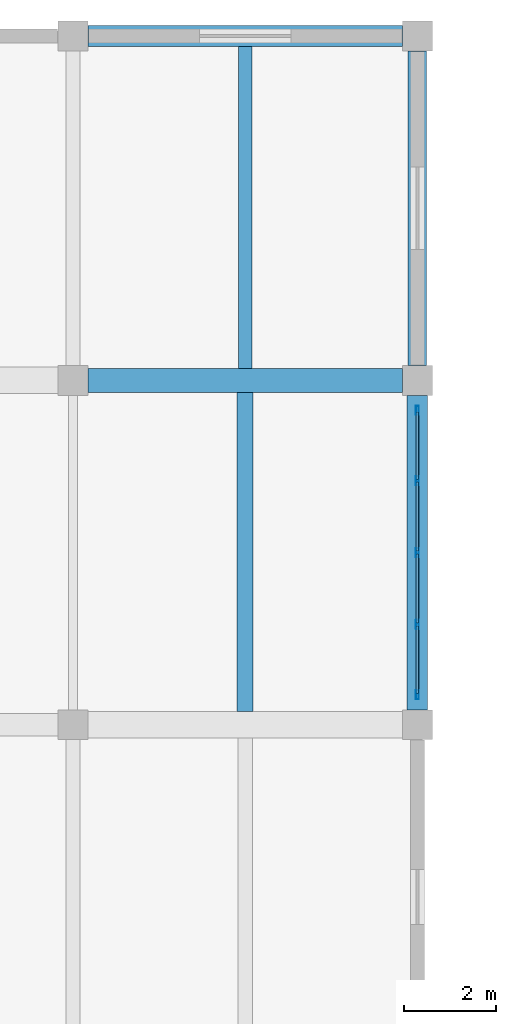
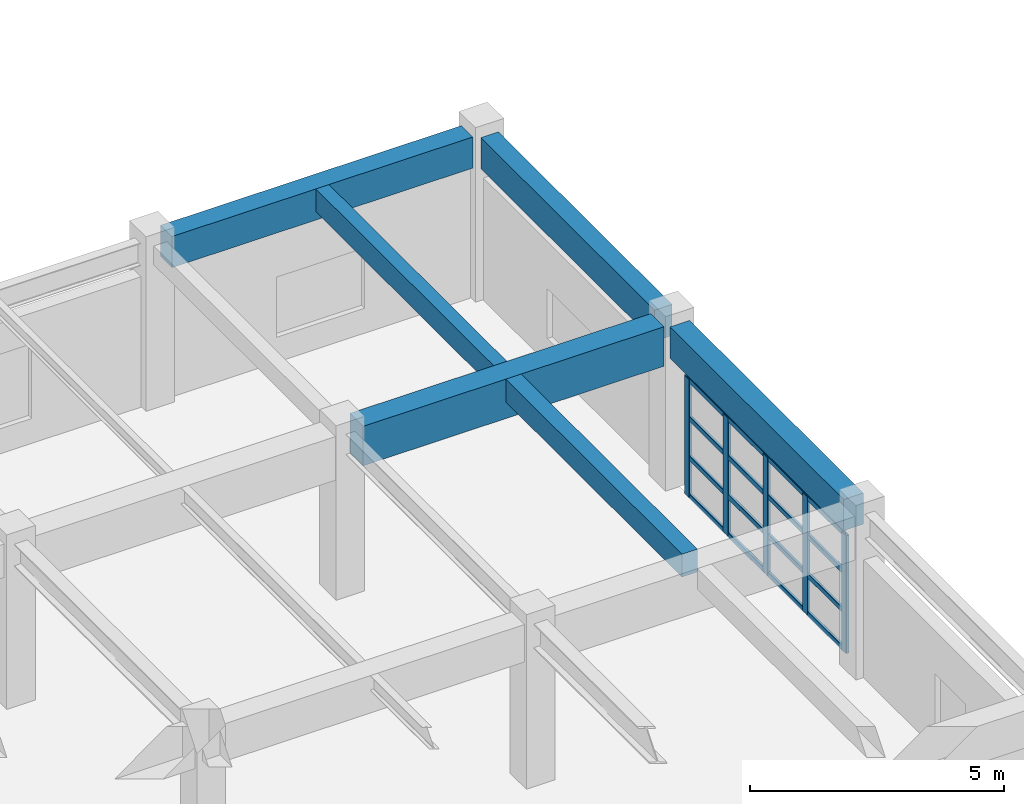
# One storey, part 54 of 132: 21 members, 6 beams, 1 element without a shape of its own.
"""IFC4 building model written with IfcOpenShell, lengths in metres."""

from ifc_helpers import new_model, si_unit, direction, frame, origin, origin_2d, place, context, subcontext, project, spatial, rectangle, hollow_rectangle, extrude, material, material_profile, profile_set, type_object, element, aggregate, save


model = new_model("IFC4")

# Units and contexts
model_context = context("Model", 3, precision=1e-05, world=origin(), true_north=direction((0.0, 1.0)))
body_context = subcontext(model_context, "Body", "Model", "MODEL_VIEW")
ifc_project = project(units=[si_unit("LENGTHUNIT", "METRE"), si_unit("AREAUNIT", "SQUARE_METRE"), si_unit("VOLUMEUNIT", "CUBIC_METRE"), si_unit("PLANEANGLEUNIT", "RADIAN"), si_unit("MASSUNIT", "GRAM", prefix="KILO")], contexts=[model_context])

# Site, building, storey
site_placement = place(None, origin())
site = spatial("IfcSite", under=ifc_project, at=site_placement, CompositionType="ELEMENT")
building_placement = place(site_placement, origin())
building = spatial("IfcBuilding", under=site, at=building_placement, Name="Qasida Concert Hall", CompositionType="ELEMENT")
storey_placement = place(building_placement, frame((0.0, 0.0, 4.800048828125)))
storey = spatial("IfcBuildingStorey", under=building, at=storey_placement, Name="L01", CompositionType="ELEMENT", Elevation=4.800048828125)

# Beams
ifc_material_1 = material(Name="Concrete C40/50", Category="concrete")
ifc_material_profile_1 = material_profile(ifc_material_1, rectangle(XDim=0.52001953125, YDim=0.949951171875, at=origin_2d()), Name="RC 520x950")
ifc_profile_set_1 = profile_set([ifc_material_profile_1], Name="Concrete C40/50")
beam_type_1 = type_object("IfcBeamType", Name="BM-G7", PredefinedType="USERDEFINED", material=ifc_profile_set_1)
beam_1_placement = place(storey_placement, frame((30.324951171875, 105.0, 3.445068359375), z_axis=(1.0, 0.0, 0.0), x_axis=(0.0, 1.0, 0.0)))
element("IfcBeam", 1, at=beam_1_placement, inside=storey, type_object=beam_type_1, Name="Primary girder 1084", ObjectType="GIRDER", PredefinedType="USERDEFINED", context=body_context, shape_type="SweptSolid", body=[
    extrude(rectangle(XDim=0.52001953125, YDim=0.949951171875, at=origin_2d()), origin(), (0.0, 0.0, 1.0), 6.85009765625),
])
ifc_material_profile_2 = material_profile(ifc_material_1, rectangle(XDim=0.300048828125, YDim=0.550048828125, at=origin_2d()), Name="RC 300x550")
ifc_profile_set_2 = profile_set([ifc_material_profile_2], Name="Concrete C40/50")
beam_type_2 = type_object("IfcBeamType", Name="BM-J1", PredefinedType="JOIST", material=ifc_profile_set_2)
beam_2_placement = place(storey_placement, frame((33.75, 105.260009765625, 3.64501953125), z_axis=(0.0, 1.0, 0.0), x_axis=(-1.0, 0.0, 0.0)))
element("IfcBeam", 2, at=beam_2_placement, inside=storey, type_object=beam_type_2, Name="L01 secondary joist 1136", PredefinedType="JOIST", context=body_context, shape_type="SweptSolid", body=[
    extrude(rectangle(XDim=0.300048828125, YDim=0.550048828125, at=origin_2d()), origin(), (0.0, 0.0, 1.0), 7.014892578125),
])
ifc_material_profile_3 = material_profile(ifc_material_1, rectangle(XDim=0.35009765625, YDim=0.550048828125, at=origin_2d()), Name="RC 350x550")
ifc_profile_set_3 = profile_set([ifc_material_profile_3], Name="Concrete C40/50")
beam_type_3 = type_object("IfcBeamType", Name="BM-J8", PredefinedType="JOIST", material=ifc_profile_set_3)
beam_3_placement = place(storey_placement, frame((33.75, 97.7900390625, 3.64501953125), z_axis=(0.0, 1.0, 0.0), x_axis=(-1.0, 0.0, 0.0)))
element("IfcBeam", 3, at=beam_3_placement, inside=storey, type_object=beam_type_3, Name="L01 secondary joist 1135", PredefinedType="JOIST", context=body_context, shape_type="SweptSolid", body=[
    extrude(rectangle(XDim=0.35009765625, YDim=0.550048828125, at=origin_2d()), origin(), (0.0, 0.0, 1.0), 6.949951171875),
])
ifc_material_profile_4 = material_profile(ifc_material_1, rectangle(XDim=0.39990234375, YDim=0.75, at=origin_2d()), Name="RC 400x750")
ifc_profile_set_4 = profile_set([ifc_material_profile_4], Name="Concrete C40/50")
beam_type_4 = type_object("IfcBeamType", Name="BM-SP1", PredefinedType="SPANDREL", material=ifc_profile_set_4)
beam_4_placement = place(storey_placement, frame((37.5, 105.324951171875, 3.544921875), z_axis=(0.0, 1.0, 0.0), x_axis=(-1.0, 0.0, 0.0)))
element("IfcBeam", 4, at=beam_4_placement, inside=storey, type_object=beam_type_4, Name="L01 girder 1113", PredefinedType="SPANDREL", context=body_context, shape_type="SweptSolid", body=[
    extrude(rectangle(XDim=0.39990234375, YDim=0.75, at=origin_2d()), origin(), (0.0, 0.0, 1.0), 6.85009765625),
])
ifc_material_profile_5 = material_profile(ifc_material_1, rectangle(XDim=0.449951171875, YDim=0.75, at=origin_2d()), Name="RC 450x750")
ifc_profile_set_5 = profile_set([ifc_material_profile_5], Name="Concrete C40/50")
beam_type_5 = type_object("IfcBeamType", Name="BM-SP4", PredefinedType="SPANDREL", material=ifc_profile_set_5)
for number, where, z_axis, x_axis, name in (
    (5, (30.324951171875, 112.5, 3.544921875), (1.0, 0.0, 0.0), (0.0, 1.0, 0.0), "Primary girder 1088"),
    (6, (37.5, 97.824951171875, 3.544921875), (0.0, 1.0, 0.0), (-1.0, 0.0, 0.0), "L01 girder 1112"),
):
    element("IfcBeam", number, at=place(storey_placement, frame(where, z_axis=z_axis, x_axis=x_axis)), inside=storey, type_object=beam_type_5, Name=name, PredefinedType="SPANDREL", context=body_context, shape_type="SweptSolid", body=[
        extrude(rectangle(XDim=0.449951171875, YDim=0.75, at=origin_2d()), origin(), (0.0, 0.0, 1.0), 6.85009765625),
    ])

# Curtain wall, members
ifc_material_2 = material(Name="Architectural bronze-anodized aluminium and low-E glass", Category="aluminium")
curtain_wall_type = type_object("IfcCurtainWallType", Name="CW-08", PredefinedType="NOTDEFINED", material=ifc_material_2)
curtain_wall_placement = place(storey_placement, origin())
curtain_wall = element("IfcCurtainWall", 7, at=curtain_wall_placement, inside=storey, type_object=curtain_wall_type, Name="L01 curtain wall CW-08 0187", PredefinedType="NOTDEFINED")
ifc_material_3 = material(Name="Architectural bronze-anodized aluminium EN AW-6063", Category="aluminium")
ifc_material_profile_6 = material_profile(ifc_material_3, hollow_rectangle(XDim=0.06494140625, YDim=0.199951171875, WallThickness=0.0048828125, InnerFilletRadius=0.0048828125, OuterFilletRadius=0.010009765625, at=origin_2d()), Name="CWM 200x65x5")
ifc_profile_set_6 = profile_set([ifc_material_profile_6], Name="Architectural bronze-anodized aluminium EN AW-6063")
member_type_1 = type_object("IfcMemberType", Name="MB-CWM-2", PredefinedType="MULLION", material=ifc_profile_set_6)
member_1_placement = place(storey_placement, frame((37.5, 98.152587890625, 0.0), z_axis=(0.0, 0.0, 1.0), x_axis=(-1.0, 0.0, 0.0)))
member_1 = element("IfcMember", 8, at=member_1_placement, type_object=member_type_1, Name="CW-08 mullion 1", PredefinedType="MULLION", context=body_context, shape_type="SweptSolid", body=[
    extrude(hollow_rectangle(XDim=0.06494140625, YDim=0.199951171875, WallThickness=0.0048828125, InnerFilletRadius=0.0048828125, OuterFilletRadius=0.010009765625, at=origin_2d()), origin(), (0.0, 0.0, 1.0), 2.83984375),
])
member_2_placement = place(storey_placement, frame((37.5, 99.68505859375, 0.0), z_axis=(0.0, 0.0, 1.0), x_axis=(-1.0, 0.0, 0.0)))
member_2 = element("IfcMember", 9, at=member_2_placement, type_object=member_type_1, Name="CW-08 mullion 2", PredefinedType="MULLION", context=body_context, shape_type="SweptSolid", body=[
    extrude(hollow_rectangle(XDim=0.06494140625, YDim=0.199951171875, WallThickness=0.0048828125, InnerFilletRadius=0.0048828125, OuterFilletRadius=0.010009765625, at=origin_2d()), origin(), (0.0, 0.0, 1.0), 2.83984375),
])
member_3_placement = place(storey_placement, frame((37.5, 101.25, 0.0), z_axis=(0.0, 0.0, 1.0), x_axis=(-1.0, 0.0, 0.0)))
member_3 = element("IfcMember", 10, at=member_3_placement, type_object=member_type_1, Name="CW-08 mullion 3", PredefinedType="MULLION", context=body_context, shape_type="SweptSolid", body=[
    extrude(hollow_rectangle(XDim=0.06494140625, YDim=0.199951171875, WallThickness=0.0048828125, InnerFilletRadius=0.0048828125, OuterFilletRadius=0.010009765625, at=origin_2d()), origin(), (0.0, 0.0, 1.0), 2.83984375),
])
member_4_placement = place(storey_placement, frame((37.5, 102.81494140625, 0.0), z_axis=(0.0, 0.0, 1.0), x_axis=(-1.0, 0.0, 0.0)))
member_4 = element("IfcMember", 11, at=member_4_placement, type_object=member_type_1, Name="CW-08 mullion 4", PredefinedType="MULLION", context=body_context, shape_type="SweptSolid", body=[
    extrude(hollow_rectangle(XDim=0.06494140625, YDim=0.199951171875, WallThickness=0.0048828125, InnerFilletRadius=0.0048828125, OuterFilletRadius=0.010009765625, at=origin_2d()), origin(), (0.0, 0.0, 1.0), 2.83984375),
])
member_5_placement = place(storey_placement, frame((37.5, 104.347412109375, 0.0), z_axis=(0.0, 0.0, 1.0), x_axis=(-1.0, 0.0, 0.0)))
member_5 = element("IfcMember", 12, at=member_5_placement, type_object=member_type_1, Name="CW-08 mullion 5", PredefinedType="MULLION", context=body_context, shape_type="SweptSolid", body=[
    extrude(hollow_rectangle(XDim=0.06494140625, YDim=0.199951171875, WallThickness=0.0048828125, InnerFilletRadius=0.0048828125, OuterFilletRadius=0.010009765625, at=origin_2d()), origin(), (0.0, 0.0, 1.0), 2.83984375),
])
ifc_material_profile_7 = material_profile(ifc_material_3, hollow_rectangle(XDim=0.06005859375, YDim=0.1201171875, WallThickness=0.00390625, InnerFilletRadius=0.00390625, OuterFilletRadius=0.008056640625, at=origin_2d()), Name="CWT 120x60x4")
ifc_profile_set_7 = profile_set([ifc_material_profile_7], Name="Architectural bronze-anodized aluminium EN AW-6063")
member_type_2 = type_object("IfcMemberType", Name="MB-CWT-2", PredefinedType="USERDEFINED", material=ifc_profile_set_7)
member_6_placement = place(storey_placement, frame((37.5, 98.18505859375, 0.030029296875), z_axis=(0.0, 1.0, 0.0), x_axis=(-1.0, 0.0, 0.0)))
member_6 = element("IfcMember", 13, at=member_6_placement, type_object=member_type_2, Name="CW-08 transom 1.1", ObjectType="TRANSOM", PredefinedType="USERDEFINED", context=body_context, shape_type="SweptSolid", body=[
    extrude(hollow_rectangle(XDim=0.06005859375, YDim=0.1201171875, WallThickness=0.00390625, InnerFilletRadius=0.00390625, OuterFilletRadius=0.008056640625, at=origin_2d()), origin(), (0.0, 0.0, 1.0), 1.467529296875),
])
member_7_placement = place(storey_placement, frame((37.5, 98.18505859375, 0.946533203125), z_axis=(0.0, 1.0, 0.0), x_axis=(-1.0, 0.0, 0.0)))
member_7 = element("IfcMember", 14, at=member_7_placement, type_object=member_type_2, Name="CW-08 transom 1.2", ObjectType="TRANSOM", PredefinedType="USERDEFINED", context=body_context, shape_type="SweptSolid", body=[
    extrude(hollow_rectangle(XDim=0.06005859375, YDim=0.1201171875, WallThickness=0.00390625, InnerFilletRadius=0.00390625, OuterFilletRadius=0.008056640625, at=origin_2d()), origin(), (0.0, 0.0, 1.0), 1.467529296875),
])
member_8_placement = place(storey_placement, frame((37.5, 98.18505859375, 1.893310546875), z_axis=(0.0, 1.0, 0.0), x_axis=(-1.0, 0.0, 0.0)))
member_8 = element("IfcMember", 15, at=member_8_placement, type_object=member_type_2, Name="CW-08 transom 1.3", ObjectType="TRANSOM", PredefinedType="USERDEFINED", context=body_context, shape_type="SweptSolid", body=[
    extrude(hollow_rectangle(XDim=0.06005859375, YDim=0.1201171875, WallThickness=0.00390625, InnerFilletRadius=0.00390625, OuterFilletRadius=0.008056640625, at=origin_2d()), origin(), (0.0, 0.0, 1.0), 1.467529296875),
])
member_9_placement = place(storey_placement, frame((37.5, 98.18505859375, 2.81005859375), z_axis=(0.0, 1.0, 0.0), x_axis=(-1.0, 0.0, 0.0)))
member_9 = element("IfcMember", 16, at=member_9_placement, type_object=member_type_2, Name="CW-08 transom 1.4", ObjectType="TRANSOM", PredefinedType="USERDEFINED", context=body_context, shape_type="SweptSolid", body=[
    extrude(hollow_rectangle(XDim=0.06005859375, YDim=0.1201171875, WallThickness=0.00390625, InnerFilletRadius=0.00390625, OuterFilletRadius=0.008056640625, at=origin_2d()), origin(), (0.0, 0.0, 1.0), 1.467529296875),
])
member_10_placement = place(storey_placement, frame((37.5, 99.717529296875, 0.030029296875), z_axis=(0.0, 1.0, 0.0), x_axis=(-1.0, 0.0, 0.0)))
member_10 = element("IfcMember", 17, at=member_10_placement, type_object=member_type_2, Name="CW-08 transom 2.1", ObjectType="TRANSOM", PredefinedType="USERDEFINED", context=body_context, shape_type="SweptSolid", body=[
    extrude(hollow_rectangle(XDim=0.06005859375, YDim=0.1201171875, WallThickness=0.00390625, InnerFilletRadius=0.00390625, OuterFilletRadius=0.008056640625, at=origin_2d()), origin(), (0.0, 0.0, 1.0), 1.5),
])
member_11_placement = place(storey_placement, frame((37.5, 99.717529296875, 0.946533203125), z_axis=(0.0, 1.0, 0.0), x_axis=(-1.0, 0.0, 0.0)))
member_11 = element("IfcMember", 18, at=member_11_placement, type_object=member_type_2, Name="CW-08 transom 2.2", ObjectType="TRANSOM", PredefinedType="USERDEFINED", context=body_context, shape_type="SweptSolid", body=[
    extrude(hollow_rectangle(XDim=0.06005859375, YDim=0.1201171875, WallThickness=0.00390625, InnerFilletRadius=0.00390625, OuterFilletRadius=0.008056640625, at=origin_2d()), origin(), (0.0, 0.0, 1.0), 1.5),
])
member_12_placement = place(storey_placement, frame((37.5, 99.717529296875, 1.893310546875), z_axis=(0.0, 1.0, 0.0), x_axis=(-1.0, 0.0, 0.0)))
member_12 = element("IfcMember", 19, at=member_12_placement, type_object=member_type_2, Name="CW-08 transom 2.3", ObjectType="TRANSOM", PredefinedType="USERDEFINED", context=body_context, shape_type="SweptSolid", body=[
    extrude(hollow_rectangle(XDim=0.06005859375, YDim=0.1201171875, WallThickness=0.00390625, InnerFilletRadius=0.00390625, OuterFilletRadius=0.008056640625, at=origin_2d()), origin(), (0.0, 0.0, 1.0), 1.5),
])
member_13_placement = place(storey_placement, frame((37.5, 99.717529296875, 2.81005859375), z_axis=(0.0, 1.0, 0.0), x_axis=(-1.0, 0.0, 0.0)))
member_13 = element("IfcMember", 20, at=member_13_placement, type_object=member_type_2, Name="CW-08 transom 2.4", ObjectType="TRANSOM", PredefinedType="USERDEFINED", context=body_context, shape_type="SweptSolid", body=[
    extrude(hollow_rectangle(XDim=0.06005859375, YDim=0.1201171875, WallThickness=0.00390625, InnerFilletRadius=0.00390625, OuterFilletRadius=0.008056640625, at=origin_2d()), origin(), (0.0, 0.0, 1.0), 1.5),
])
member_14_placement = place(storey_placement, frame((37.5, 101.282470703125, 0.030029296875), z_axis=(0.0, 1.0, 0.0), x_axis=(-1.0, 0.0, 0.0)))
member_14 = element("IfcMember", 21, at=member_14_placement, type_object=member_type_2, Name="CW-08 transom 3.1", ObjectType="TRANSOM", PredefinedType="USERDEFINED", context=body_context, shape_type="SweptSolid", body=[
    extrude(hollow_rectangle(XDim=0.06005859375, YDim=0.1201171875, WallThickness=0.00390625, InnerFilletRadius=0.00390625, OuterFilletRadius=0.008056640625, at=origin_2d()), origin(), (0.0, 0.0, 1.0), 1.5),
])
member_15_placement = place(storey_placement, frame((37.5, 101.282470703125, 0.946533203125), z_axis=(0.0, 1.0, 0.0), x_axis=(-1.0, 0.0, 0.0)))
member_15 = element("IfcMember", 22, at=member_15_placement, type_object=member_type_2, Name="CW-08 transom 3.2", ObjectType="TRANSOM", PredefinedType="USERDEFINED", context=body_context, shape_type="SweptSolid", body=[
    extrude(hollow_rectangle(XDim=0.06005859375, YDim=0.1201171875, WallThickness=0.00390625, InnerFilletRadius=0.00390625, OuterFilletRadius=0.008056640625, at=origin_2d()), origin(), (0.0, 0.0, 1.0), 1.5),
])
member_16_placement = place(storey_placement, frame((37.5, 101.282470703125, 1.893310546875), z_axis=(0.0, 1.0, 0.0), x_axis=(-1.0, 0.0, 0.0)))
member_16 = element("IfcMember", 23, at=member_16_placement, type_object=member_type_2, Name="CW-08 transom 3.3", ObjectType="TRANSOM", PredefinedType="USERDEFINED", context=body_context, shape_type="SweptSolid", body=[
    extrude(hollow_rectangle(XDim=0.06005859375, YDim=0.1201171875, WallThickness=0.00390625, InnerFilletRadius=0.00390625, OuterFilletRadius=0.008056640625, at=origin_2d()), origin(), (0.0, 0.0, 1.0), 1.5),
])
member_17_placement = place(storey_placement, frame((37.5, 101.282470703125, 2.81005859375), z_axis=(0.0, 1.0, 0.0), x_axis=(-1.0, 0.0, 0.0)))
member_17 = element("IfcMember", 24, at=member_17_placement, type_object=member_type_2, Name="CW-08 transom 3.4", ObjectType="TRANSOM", PredefinedType="USERDEFINED", context=body_context, shape_type="SweptSolid", body=[
    extrude(hollow_rectangle(XDim=0.06005859375, YDim=0.1201171875, WallThickness=0.00390625, InnerFilletRadius=0.00390625, OuterFilletRadius=0.008056640625, at=origin_2d()), origin(), (0.0, 0.0, 1.0), 1.5),
])
member_18_placement = place(storey_placement, frame((37.5, 102.847412109375, 0.030029296875), z_axis=(0.0, 1.0, 0.0), x_axis=(-1.0, 0.0, 0.0)))
member_18 = element("IfcMember", 25, at=member_18_placement, type_object=member_type_2, Name="CW-08 transom 4.1", ObjectType="TRANSOM", PredefinedType="USERDEFINED", context=body_context, shape_type="SweptSolid", body=[
    extrude(hollow_rectangle(XDim=0.06005859375, YDim=0.1201171875, WallThickness=0.00390625, InnerFilletRadius=0.00390625, OuterFilletRadius=0.008056640625, at=origin_2d()), origin(), (0.0, 0.0, 1.0), 1.467529296875),
])
member_19_placement = place(storey_placement, frame((37.5, 102.847412109375, 0.946533203125), z_axis=(0.0, 1.0, 0.0), x_axis=(-1.0, 0.0, 0.0)))
member_19 = element("IfcMember", 26, at=member_19_placement, type_object=member_type_2, Name="CW-08 transom 4.2", ObjectType="TRANSOM", PredefinedType="USERDEFINED", context=body_context, shape_type="SweptSolid", body=[
    extrude(hollow_rectangle(XDim=0.06005859375, YDim=0.1201171875, WallThickness=0.00390625, InnerFilletRadius=0.00390625, OuterFilletRadius=0.008056640625, at=origin_2d()), origin(), (0.0, 0.0, 1.0), 1.467529296875),
])
member_20_placement = place(storey_placement, frame((37.5, 102.847412109375, 1.893310546875), z_axis=(0.0, 1.0, 0.0), x_axis=(-1.0, 0.0, 0.0)))
member_20 = element("IfcMember", 27, at=member_20_placement, type_object=member_type_2, Name="CW-08 transom 4.3", ObjectType="TRANSOM", PredefinedType="USERDEFINED", context=body_context, shape_type="SweptSolid", body=[
    extrude(hollow_rectangle(XDim=0.06005859375, YDim=0.1201171875, WallThickness=0.00390625, InnerFilletRadius=0.00390625, OuterFilletRadius=0.008056640625, at=origin_2d()), origin(), (0.0, 0.0, 1.0), 1.467529296875),
])
member_21_placement = place(storey_placement, frame((37.5, 102.847412109375, 2.81005859375), z_axis=(0.0, 1.0, 0.0), x_axis=(-1.0, 0.0, 0.0)))
member_21 = element("IfcMember", 28, at=member_21_placement, type_object=member_type_2, Name="CW-08 transom 4.4", ObjectType="TRANSOM", PredefinedType="USERDEFINED", context=body_context, shape_type="SweptSolid", body=[
    extrude(hollow_rectangle(XDim=0.06005859375, YDim=0.1201171875, WallThickness=0.00390625, InnerFilletRadius=0.00390625, OuterFilletRadius=0.008056640625, at=origin_2d()), origin(), (0.0, 0.0, 1.0), 1.467529296875),
])
aggregate(curtain_wall, [member_1, member_2, member_3, member_4, member_5, member_6, member_7, member_8, member_9, member_10, member_11, member_12, member_13, member_14, member_15, member_16, member_17, member_18, member_19, member_20, member_21])

save(model, "model.ifc")
